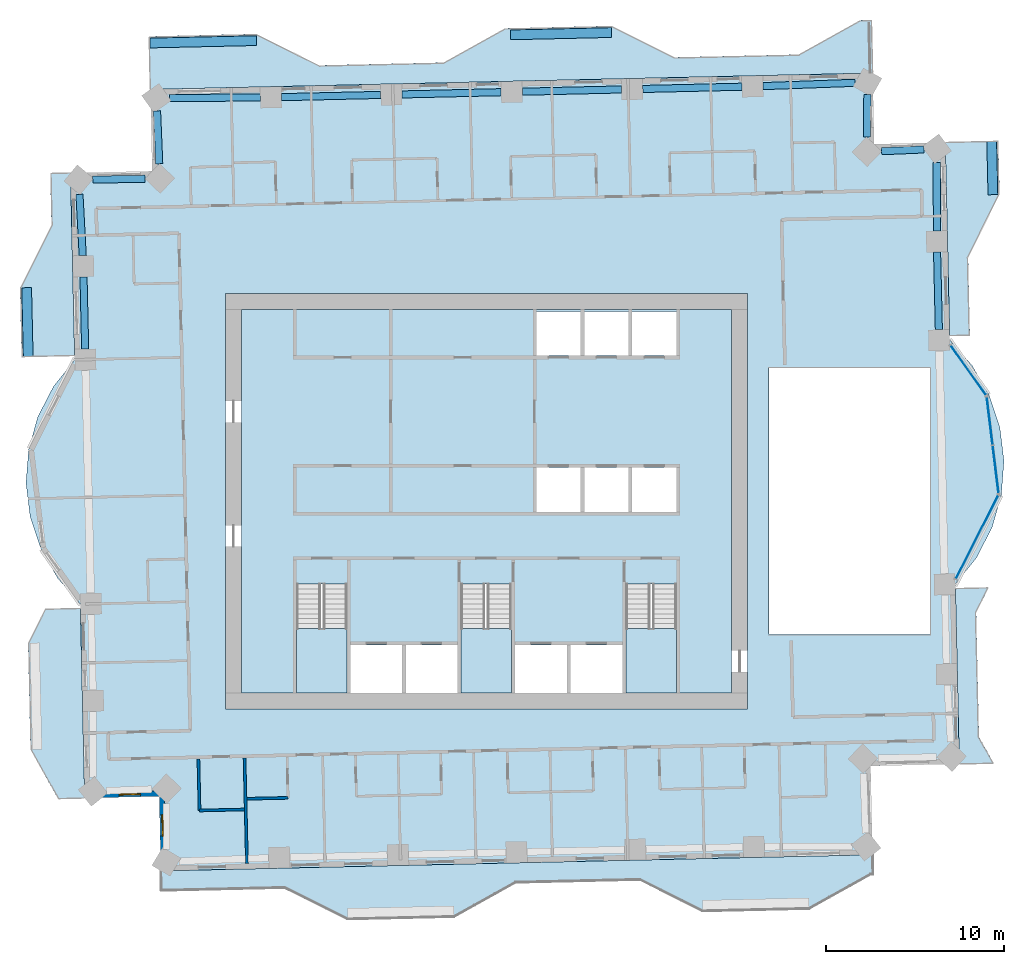
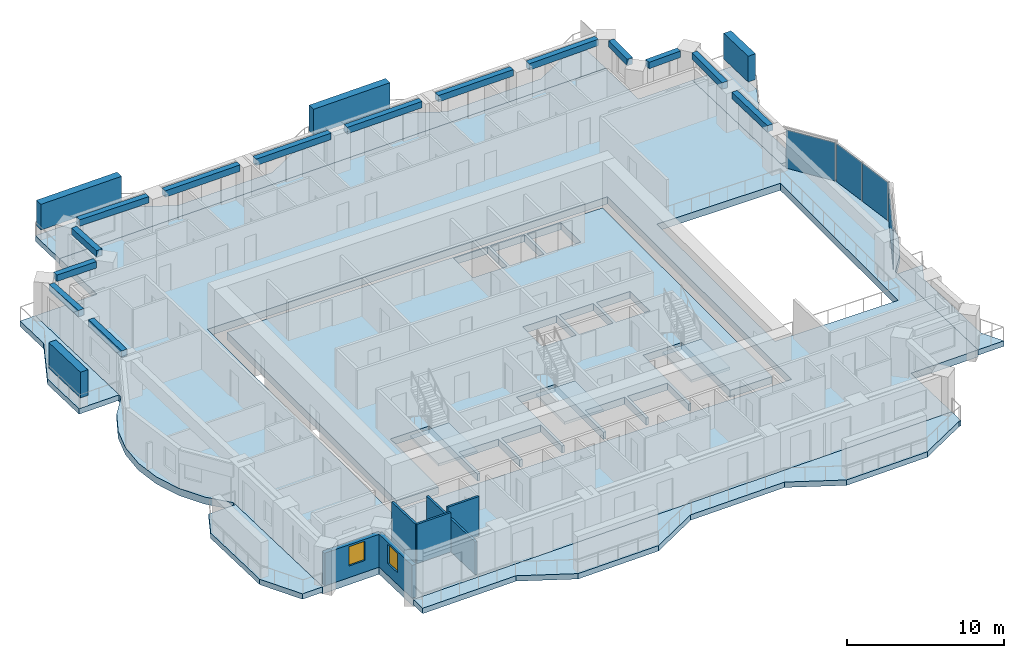
# One storey, part 3 of 14: 14 beams, 11 slabs, 6 walls, 4 members, 4 plates, 2 windows, 2 openings, 6 elements without a shape of their own.
"""IFC4 building model written with IfcOpenShell, lengths in metres."""

from ifc_helpers import new_model, si_unit, direction, frame, frame_2d, origin, origin_2d, place, context, subcontext, project, spatial, polyline, rectangle, outline, extrude, material, layer, layer_set, material_profile, profile_set, type_object, element, fill, aggregate, save


model = new_model("IFC4")

# Units and contexts
model_context = context("Model", 3, precision=1e-05, world=origin(), true_north=direction((0.0, 1.0)))
body_context = subcontext(model_context, "Body", "Model", "MODEL_VIEW")
ifc_project = project(units=[si_unit("LENGTHUNIT", "METRE"), si_unit("AREAUNIT", "SQUARE_METRE"), si_unit("VOLUMEUNIT", "CUBIC_METRE"), si_unit("PLANEANGLEUNIT", "RADIAN"), si_unit("MASSUNIT", "GRAM", prefix="KILO")], contexts=[model_context])

# Site, building, storey
site_placement = place(None, origin())
site = spatial("IfcSite", under=ifc_project, at=site_placement, CompositionType="ELEMENT")
building_placement = place(site_placement, origin())
building = spatial("IfcBuilding", under=site, at=building_placement, Name="Mangrove Gate Tower", CompositionType="ELEMENT")
storey_placement = place(building_placement, frame((0.0, 0.0, 182.5)))
storey = spatial("IfcBuildingStorey", under=building, at=storey_placement, Name="L46", CompositionType="ELEMENT", Elevation=182.5)

# Members
ifc_material_1 = material(Name="Planting on aluminium trellis", Category="aluminium")
ifc_material_profile_1 = material_profile(ifc_material_1, rectangle(XDim=0.550048828125, YDim=2.0, at=origin_2d()))
ifc_profile_set_1 = profile_set([ifc_material_profile_1], Name="Planting on aluminium trellis")
member_type = type_object("IfcMemberType", Name="Balcony greenery screen 550x2000", PredefinedType="USERDEFINED", material=ifc_profile_set_1)
member_1_placement = place(storey_placement, frame((28.508056640625, 17.264892578125, 1.800048828125), z_axis=(-0.022706615587, 0.999742171567, 0.0), x_axis=(-0.999742171567, -0.022706615587, 0.0)))
element("IfcMember", 1, at=member_1_placement, inside=storey, type_object=member_type, Name="GREEN SCREEN L46 E1.1", ObjectType="PLANTING", PredefinedType="USERDEFINED", context=body_context, shape_type="SweptSolid", body=[
    extrude(rectangle(XDim=0.550048828125, YDim=2.0, at=origin_2d()), origin(), (0.0, 0.0, 1.0), 2.999755859375),
])
member_2_placement = place(storey_placement, frame((1.341064453125, 26.264892578125, 1.800048828125), z_axis=(0.999739419866, 0.022827447663, 0.0), x_axis=(-0.022827447663, 0.999739419866, 0.0)))
element("IfcMember", 2, at=member_2_placement, inside=storey, type_object=member_type, Name="GREEN SCREEN L46 N0.1", ObjectType="PLANTING", PredefinedType="USERDEFINED", context=body_context, shape_type="SweptSolid", body=[
    extrude(rectangle(XDim=0.550048828125, YDim=2.0, at=origin_2d()), origin(), (0.0, 0.0, 1.0), 5.700439453125),
])
member_3_placement = place(storey_placement, frame((-18.9541015625, 25.804931640625, 1.800048828125), z_axis=(0.999743178102, 0.022662255828, 0.0), x_axis=(-0.022662255828, 0.999743178102, 0.0)))
element("IfcMember", 3, at=member_3_placement, inside=storey, type_object=member_type, Name="GREEN SCREEN L46 N1.1", ObjectType="PLANTING", PredefinedType="USERDEFINED", context=body_context, shape_type="SweptSolid", body=[
    extrude(rectangle(XDim=0.550048828125, YDim=2.0, at=origin_2d()), origin(), (0.0, 0.0, 1.0), 6.00048828125),
])
member_4_placement = place(storey_placement, frame((-25.81005859375, 8.155029296875, 1.800048828125), z_axis=(-0.022681332769, 0.999742745482, 0.0), x_axis=(-0.999742745482, -0.022681332769, 0.0)))
element("IfcMember", 4, at=member_4_placement, inside=storey, type_object=member_type, Name="GREEN SCREEN L46 W0.1", ObjectType="PLANTING", PredefinedType="USERDEFINED", context=body_context, shape_type="SweptSolid", body=[
    extrude(rectangle(XDim=0.550048828125, YDim=2.0, at=origin_2d()), origin(), (0.0, 0.0, 1.0), 3.875),
])

# Beams
ifc_material_2 = material(Name="Concrete C50/60", Category="concrete")
ifc_material_profile_2 = material_profile(ifc_material_2, rectangle(XDim=0.39990234375, YDim=0.5, at=origin_2d()))
ifc_profile_set_2 = profile_set([ifc_material_profile_2], Name="Concrete C50/60")
beam_type = type_object("IfcBeamType", Name="Edge beam RC 400x500 C50/60", PredefinedType="BEAM", material=ifc_profile_set_2)
beam_1_placement = place(storey_placement, frame((25.46435546875, 9.669189453125, 2.800048828125), z_axis=(-0.022838386415, 0.999739170037, 0.0), x_axis=(-0.999739170037, -0.022838386415, 0.0)))
element("IfcBeam", 5, at=beam_1_placement, inside=storey, type_object=beam_type, Name="Edge beam L46 15", PredefinedType="BEAM", context=body_context, shape_type="SweptSolid", body=[
    extrude(rectangle(XDim=0.39990234375, YDim=0.5, at=origin_2d()), origin(), (0.0, 0.0, 1.0), 4.361572265625),
])
beam_2_placement = place(storey_placement, frame((25.3505859375, 15.2294921875, 2.800048828125), z_axis=(-0.001011377485, 0.999999488558, 0.0), x_axis=(-0.999999488558, -0.001011377485, 0.0)))
element("IfcBeam", 6, at=beam_2_placement, inside=storey, type_object=beam_type, Name="Edge beam L46 16", PredefinedType="BEAM", context=body_context, shape_type="SweptSolid", body=[
    extrude(rectangle(XDim=0.39990234375, YDim=0.5, at=origin_2d()), origin(), (0.0, 0.0, 1.0), 3.8623046875),
])
beam_3_placement = place(storey_placement, frame((24.6171875, 19.812744140625, 2.800048828125), z_axis=(-0.999146203439, -0.041314212485, 0.0), x_axis=(0.041314212485, -0.999146203439, 0.0)))
element("IfcBeam", 7, at=beam_3_placement, inside=storey, type_object=beam_type, Name="Edge beam L46 17", PredefinedType="BEAM", context=body_context, shape_type="SweptSolid", body=[
    extrude(rectangle(XDim=0.39990234375, YDim=0.5, at=origin_2d()), origin(), (0.0, 0.0, 1.0), 2.37548828125),
])
beam_4_placement = place(storey_placement, frame((21.41796875, 20.50390625, 2.800048828125), z_axis=(0.008133945451, 0.999966918919, 0.0), x_axis=(-0.999966918919, 0.008133945451, 0.0)))
element("IfcBeam", 8, at=beam_4_placement, inside=storey, type_object=beam_type, Name="Edge beam L46 18", PredefinedType="BEAM", context=body_context, shape_type="SweptSolid", body=[
    extrude(rectangle(XDim=0.39990234375, YDim=0.5, at=origin_2d()), origin(), (0.0, 0.0, 1.0), 2.401123046875),
])
beam_5_placement = place(storey_placement, frame((20.741455078125, 23.564453125, 2.800048828125), z_axis=(-0.99936699483, -0.03557540787, 0.0), x_axis=(0.03557540787, -0.99936699483, 0.0)))
element("IfcBeam", 9, at=beam_5_placement, inside=storey, type_object=beam_type, Name="Edge beam L46 19", PredefinedType="BEAM", context=body_context, shape_type="SweptSolid", body=[
    extrude(rectangle(XDim=0.39990234375, YDim=0.5, at=origin_2d()), origin(), (0.0, 0.0, 1.0), 5.17431640625),
])
for number, where, z_axis, x_axis, name in (
    (10, (14.370849609375, 23.345458984375, 2.800048828125), (-0.999742129115, -0.022708484617, 0.0), (0.022708484617, -0.999742129115, 0.0), "Edge beam L46 20"),
    (11, (7.5927734375, 23.19140625, 2.800048828125), (-0.999742129115, -0.022708484617, 0.0), (0.022708484617, -0.999742129115, 0.0), "Edge beam L46 21"),
    (12, (0.814697265625, 23.03759765625, 2.800048828125), (-0.999742129115, -0.022708484617, 0.0), (0.022708484617, -0.999742129115, 0.0), "Edge beam L46 22"),
):
    element("IfcBeam", number, at=place(storey_placement, frame(where, z_axis=z_axis, x_axis=x_axis)), inside=storey, type_object=beam_type, Name=name, PredefinedType="BEAM", context=body_context, shape_type="SweptSolid", body=[
        extrude(rectangle(XDim=0.39990234375, YDim=0.5, at=origin_2d()), origin(), (0.0, 0.0, 1.0), 5.579833984375),
    ])
beam_6_placement = place(storey_placement, frame((-5.96337890625, 22.883544921875, 2.800048828125), z_axis=(-0.999746153815, -0.022530599913, 0.0), x_axis=(0.022530599913, -0.999746153815, 0.0)))
element("IfcBeam", 13, at=beam_6_placement, inside=storey, type_object=beam_type, Name="Edge beam L46 23", PredefinedType="BEAM", context=body_context, shape_type="SweptSolid", body=[
    extrude(rectangle(XDim=0.39990234375, YDim=0.5, at=origin_2d()), origin(), (0.0, 0.0, 1.0), 5.58056640625),
])
beam_7_placement = place(storey_placement, frame((-12.742431640625, 22.740234375, 2.800048828125), z_axis=(-0.999977633911, -0.006688174505, 0.0), x_axis=(0.006688174505, -0.999977633911, 0.0)))
element("IfcBeam", 14, at=beam_7_placement, inside=storey, type_object=beam_type, Name="Edge beam L46 24", PredefinedType="BEAM", context=body_context, shape_type="SweptSolid", body=[
    extrude(rectangle(XDim=0.39990234375, YDim=0.5, at=origin_2d()), origin(), (0.0, 0.0, 1.0), 5.1103515625),
])
beam_8_placement = place(storey_placement, frame((-18.555908203125, 21.986083984375, 2.800048828125), z_axis=(0.041862254273, -0.999123391612, 0.0), x_axis=(0.999123391612, 0.041862254273, 0.0)))
element("IfcBeam", 15, at=beam_8_placement, inside=storey, type_object=beam_type, Name="Edge beam L46 25", PredefinedType="BEAM", context=body_context, shape_type="SweptSolid", body=[
    extrude(rectangle(XDim=0.39990234375, YDim=0.5, at=origin_2d()), origin(), (0.0, 0.0, 1.0), 2.980224609375),
])
beam_9_placement = place(storey_placement, frame((-19.2392578125, 18.162841796875, 2.800048828125), z_axis=(-0.999868543092, -0.016214084483, 0.0), x_axis=(0.016214084483, -0.999868543092, 0.0)))
element("IfcBeam", 16, at=beam_9_placement, inside=storey, type_object=beam_type, Name="Edge beam L46 26", PredefinedType="BEAM", context=body_context, shape_type="SweptSolid", body=[
    extrude(rectangle(XDim=0.39990234375, YDim=0.5, at=origin_2d()), origin(), (0.0, 0.0, 1.0), 2.936279296875),
])
beam_10_placement = place(storey_placement, frame((-22.924072265625, 17.28466796875, 2.800048828125), z_axis=(0.053067610798, -0.998590921591, 0.0), x_axis=(0.998590921591, 0.053067610798, 0.0)))
element("IfcBeam", 17, at=beam_10_placement, inside=storey, type_object=beam_type, Name="Edge beam L46 27", PredefinedType="BEAM", context=body_context, shape_type="SweptSolid", body=[
    extrude(rectangle(XDim=0.39990234375, YDim=0.5, at=origin_2d()), origin(), (0.0, 0.0, 1.0), 3.450439453125),
])
beam_11_placement = place(storey_placement, frame((-22.695556640625, 12.6396484375, 2.800048828125), z_axis=(0.022597173963, -0.999744651263, 0.0), x_axis=(0.999744651263, 0.022597173963, 0.0)))
element("IfcBeam", 18, at=beam_11_placement, inside=storey, type_object=beam_type, Name="Edge beam L46 28", PredefinedType="BEAM", context=body_context, shape_type="SweptSolid", body=[
    extrude(rectangle(XDim=0.39990234375, YDim=0.5, at=origin_2d()), origin(), (0.0, 0.0, 1.0), 4.062255859375),
])

# Curtain wall, plate
ifc_material_3 = material(Name="Aluminium and glass curtain wall", Category="aluminium")
curtain_wall_type = type_object("IfcCurtainWallType", Name="Atrium garden-court glazing wall", PredefinedType="NOTDEFINED", material=ifc_material_3)
curtain_wall_1_placement = place(storey_placement, origin())
curtain_wall_1 = element("IfcCurtainWall", 19, at=curtain_wall_1_placement, inside=storey, type_object=curtain_wall_type, Name="Atrium garden-court glazing E1f1", PredefinedType="NOTDEFINED")
ifc_material_4 = material(Name="Laminated low-e glass", Category="glass")
ifc_layer_1 = layer(ifc_material_4, 0.031982421875)
ifc_layer_set_1 = layer_set([ifc_layer_1], Name="Atrium garden-court glazing panel 32")
plate_type = type_object("IfcPlateType", Name="Atrium garden-court glazing panel 32", PredefinedType="CURTAIN_PANEL", material=ifc_layer_set_1)
plate_1_placement = place(storey_placement, frame((27.61572265625, -2.01220703125, 0.0), z_axis=(0.0, 0.0, 1.0), x_axis=(0.452578247326, 0.891724694089, 0.0)))
plate_1 = element("IfcPlate", 20, at=plate_1_placement, type_object=plate_type, Name="CWA panel 1.1", PredefinedType="CURTAIN_PANEL", context=body_context, shape_type="SweptSolid", body=[
    extrude(rectangle(XDim=5.25732421875, YDim=0.031982421875, at=origin_2d()), origin(), (0.0, 0.0, 1.0), 2.97998046875),
])
aggregate(curtain_wall_1, [plate_1])

# Curtain wall, plates
curtain_wall_2_placement = place(storey_placement, origin())
curtain_wall_2 = element("IfcCurtainWall", 21, at=curtain_wall_2_placement, inside=storey, type_object=curtain_wall_type, Name="Atrium garden-court glazing E1f2", PredefinedType="NOTDEFINED")
plate_2_placement = place(storey_placement, frame((28.664794921875, 1.79443359375, 0.0), z_axis=(0.0, 0.0, 1.0), x_axis=(-0.122172286076, 0.992508908028, 0.0)))
plate_2 = element("IfcPlate", 22, at=plate_2_placement, type_object=plate_type, Name="CWA panel 1.1", PredefinedType="CURTAIN_PANEL", context=body_context, shape_type="SweptSolid", body=[
    extrude(rectangle(XDim=2.681640625, YDim=0.031982421875, at=origin_2d()), origin(), (0.0, 0.0, 1.0), 2.97998046875),
])
plate_3_placement = place(storey_placement, frame((28.32861328125, 4.525634765625, 0.0), z_axis=(0.0, 0.0, 1.0), x_axis=(-0.122172286076, 0.992508908028, 0.0)))
plate_3 = element("IfcPlate", 23, at=plate_3_placement, type_object=plate_type, Name="CWA panel 2.1", PredefinedType="CURTAIN_PANEL", context=body_context, shape_type="SweptSolid", body=[
    extrude(rectangle(XDim=2.681640625, YDim=0.031982421875, at=origin_2d()), origin(), (0.0, 0.0, 1.0), 2.97998046875),
])
aggregate(curtain_wall_2, [plate_2, plate_3])

# Curtain wall, plate
curtain_wall_3_placement = place(storey_placement, origin())
curtain_wall_3 = element("IfcCurtainWall", 24, at=curtain_wall_3_placement, inside=storey, type_object=curtain_wall_type, Name="Atrium garden-court glazing E1f3", PredefinedType="NOTDEFINED")
plate_4_placement = place(storey_placement, frame((27.125, 7.381591796875, 0.0), z_axis=(0.0, 0.0, 1.0), x_axis=(-0.578106334278, 0.815961436753, 0.0)))
plate_4 = element("IfcPlate", 25, at=plate_4_placement, type_object=plate_type, Name="CWA panel 1.1", PredefinedType="CURTAIN_PANEL", context=body_context, shape_type="SweptSolid", body=[
    extrude(rectangle(XDim=3.427978515625, YDim=0.031982421875, at=origin_2d()), origin(), (0.0, 0.0, 1.0), 2.97998046875),
])
aggregate(curtain_wall_3, [plate_4])

# Slabs
ifc_material_5 = material(Name="Porcelain tile")
ifc_layer_2 = layer(ifc_material_5, 0.02001953125, Name="Tile finish")
ifc_material_6 = material(Name="Cement sand screed")
ifc_layer_3 = layer(ifc_material_6, 0.0400390625, Name="Screed laid to falls")
ifc_material_7 = material(Name="Bituminous waterproofing membrane")
ifc_layer_4 = layer(ifc_material_7, 0.00390625, Name="Waterproofing")
ifc_material_8 = material(Name="Concrete C40/50", Category="concrete")
ifc_layer_5 = layer(ifc_material_8, 0.340087890625, Name="Balcony structural slab")
ifc_material_9 = material(Name="Limestone", Category="masonry")
ifc_layer_6 = layer(ifc_material_9, 0.01611328125, Name="Soffit lining")
ifc_layer_set_2 = layer_set([ifc_layer_2, ifc_layer_3, ifc_layer_4, ifc_layer_5, ifc_layer_6], Name="Balcony slab 420 C40/50")
slab_type_1 = type_object("IfcSlabType", Name="Balcony slab 420 C40/50", PredefinedType="FLOOR", material=ifc_layer_set_2)
slab_1_placement = place(storey_placement, frame((0.0, 0.0, -0.419921875)))
element("IfcSlab", 26, at=slab_1_placement, inside=storey, type_object=slab_type_1, Name="BALCONY L46 E0", PredefinedType="FLOOR", context=body_context, shape_type="SweptSolid", body=[
    extrude(outline(polyline([(28.552001953125, -14.742919921875), (27.72509765625, -13.260986328125), (27.56591796875, -6.262939453125), (28.260986328125, -4.8720703125), (26.39501953125, -4.9140625), (26.427001953125, -6.2890625), (26.5849609375, -13.287109375), (26.618896484375, -14.787109375), (28.552001953125, -14.742919921875)])), origin(), (0.0, 0.0, 1.0), 0.419921875),
])
slab_2_placement = place(storey_placement, frame((0.0, 0.0, -0.419921875)))
element("IfcSlab", 27, at=slab_2_placement, inside=storey, type_object=slab_type_1, Name="BALCONY L46 E1", PredefinedType="FLOOR", context=body_context, shape_type="SweptSolid", body=[
    extrude(outline(polyline([(27.2119140625, 9.35791015625), (27.112060546875, 13.73193359375), (28.883056640625, 17.27294921875), (28.81494140625, 20.27197265625), (25.824951171875, 20.2041015625), (25.89306640625, 17.205078125), (25.972900390625, 13.7060546875), (26.072021484375, 9.3330078125), (27.2119140625, 9.35791015625)])), origin(), (0.0, 0.0, 1.0), 0.419921875),
])
slab_3_placement = place(storey_placement, frame((0.0, 0.0, -0.419921875)))
element("IfcSlab", 28, at=slab_3_placement, inside=storey, type_object=slab_type_1, Name="BALCONY L46 N0", PredefinedType="FLOOR", context=body_context, shape_type="SweptSolid", body=[
    extrude(outline(polyline([(21.66796875, 27.10205078125), (21.028076171875, 27.0869140625), (17.571044921875, 25.157958984375), (10.572998046875, 25.0), (7.031005859375, 26.77001953125), (1.3330078125, 26.639892578125), (1.032958984375, 26.634033203125), (-2.424072265625, 24.705078125), (-9.422119140625, 24.547119140625), (-12.962890625, 26.31591796875), (-18.9619140625, 26.179931640625), (-19.0009765625, 26.157958984375), (-18.93408203125, 23.18994140625), (21.736083984375, 24.113037109375), (21.66796875, 27.10205078125)])), origin(), (0.0, 0.0, 1.0), 0.419921875),
])
slab_4_placement = place(storey_placement, frame((0.0, 0.0, -0.419921875)))
element("IfcSlab", 29, at=slab_4_placement, inside=storey, type_object=slab_type_1, Name="BALCONY L46 W0", PredefinedType="FLOOR", context=body_context, shape_type="SweptSolid", body=[
    extrude(outline(polyline([(-24.568115234375, 18.4609375), (-24.501953125, 15.56103515625), (-26.27197265625, 12.02001953125), (-26.18505859375, 8.14697265625), (-23.195068359375, 8.214111328125), (-23.282958984375, 12.087890625), (-23.363037109375, 15.5869140625), (-23.427978515625, 18.487060546875), (-24.568115234375, 18.4609375)])), origin(), (0.0, 0.0, 1.0), 0.419921875),
])
slab_5_placement = place(storey_placement, frame((0.0, 0.0, -0.419921875)))
element("IfcSlab", 30, at=slab_5_placement, inside=storey, type_object=slab_type_1, Name="BALCONY L46 W1", PredefinedType="FLOOR", context=body_context, shape_type="SweptSolid", body=[
    extrude(outline(polyline([(-24.87109375, -6.077880859375), (-25.819091796875, -7.97509765625), (-25.68310546875, -13.972900390625), (-24.138916015625, -16.739013671875), (-22.6298828125, -16.7041015625), (-22.693115234375, -13.905029296875), (-22.8291015625, -7.906982421875), (-22.8720703125, -6.032958984375), (-24.87109375, -6.077880859375)])), origin(), (0.0, 0.0, 1.0), 0.419921875),
])
slab_6_placement = place(storey_placement, frame((0.0, 0.0, -0.419921875)))
element("IfcSlab", 31, at=slab_6_placement, inside=storey, type_object=slab_type_1, Name="BALCONY L46 S0", PredefinedType="FLOOR", context=body_context, shape_type="SweptSolid", body=[
    extrude(outline(polyline([(-18.31005859375, -21.947998046875), (-11.3720703125, -21.7900390625), (-7.830078125, -23.56005859375), (-1.83203125, -23.424072265625), (1.625, -21.4951171875), (8.623046875, -21.337890625), (12.1640625, -23.10693359375), (18.1630859375, -22.970947265625), (21.6201171875, -21.0419921875), (21.760009765625, -21.0380859375), (21.73388671875, -19.89892578125), (1.698974609375, -20.35302734375), (1.59912109375, -20.35595703125), (-18.3359375, -20.80810546875), (-18.31005859375, -21.947998046875)])), origin(), (0.0, 0.0, 1.0), 0.419921875),
])
ifc_material_10 = material(Name="Concrete C40/50", Category="concrete")
ifc_layer_7 = layer(ifc_material_10, 0.550048828125)
ifc_layer_set_3 = layer_set([ifc_layer_7], Name="Core floor slab 550 C40/50")
slab_type_2 = type_object("IfcSlabType", Name="Core floor slab 550 C40/50", PredefinedType="FLOOR", material=ifc_layer_set_3)
slab_7_placement = place(storey_placement, frame((0.0, 0.0, -0.550048828125)))
element("IfcSlab", 32, at=slab_7_placement, inside=storey, type_object=slab_type_2, Name="SLAB-L46-CORE-1", PredefinedType="FLOOR", context=body_context, shape_type="SweptSolid", body=[
    extrude(outline(polyline([(-13.800048828125, -10.800048828125), (-13.800048828125, 10.800048828125), (13.800048828125, 10.800048828125), (13.800048828125, -10.800048828125), (10.699951171875, -10.800048828125), (10.699951171875, -4.653076171875), (7.85009765625, -4.653076171875), (7.85009765625, -10.800048828125), (7.64990234375, -10.800048828125), (7.64990234375, -8.10009765625), (4.72509765625, -8.10009765625), (4.72509765625, -10.800048828125), (4.52490234375, -10.800048828125), (4.52490234375, -8.10009765625), (1.60009765625, -8.10009765625), (1.60009765625, -10.800048828125), (1.39990234375, -10.800048828125), (1.39990234375, -4.653076171875), (-1.449951171875, -4.653076171875), (-1.449951171875, -10.800048828125), (-1.64990234375, -10.800048828125), (-1.64990234375, -8.10009765625), (-4.550048828125, -8.10009765625), (-4.550048828125, -10.800048828125), (-4.75, -10.800048828125), (-4.75, -8.10009765625), (-7.64990234375, -8.10009765625), (-7.64990234375, -10.800048828125), (-7.85009765625, -10.800048828125), (-7.85009765625, -4.653076171875), (-10.699951171875, -4.653076171875), (-10.699951171875, -10.800048828125), (-13.800048828125, -10.800048828125)]), holes=[polyline([(5.300048828125, -0.60009765625), (5.300048828125, 1.89990234375), (2.800048828125, 1.89990234375), (2.800048828125, -0.60009765625), (5.300048828125, -0.60009765625)]), polyline([(5.300048828125, 10.699951171875), (2.800048828125, 10.699951171875), (2.800048828125, 8.199951171875), (5.300048828125, 8.199951171875), (5.300048828125, 10.699951171875)]), polyline([(8.0, -0.60009765625), (8.0, 1.89990234375), (5.5, 1.89990234375), (5.5, -0.60009765625), (8.0, -0.60009765625)]), polyline([(10.699951171875, -0.60009765625), (10.699951171875, 1.89990234375), (8.199951171875, 1.89990234375), (8.199951171875, -0.60009765625), (10.699951171875, -0.60009765625)]), polyline([(8.0, 8.199951171875), (8.0, 10.699951171875), (5.5, 10.699951171875), (5.5, 8.199951171875), (8.0, 8.199951171875)]), polyline([(10.699951171875, 8.199951171875), (10.699951171875, 10.699951171875), (8.199951171875, 10.699951171875), (8.199951171875, 8.199951171875), (10.699951171875, 8.199951171875)])]), origin(), (0.0, 0.0, 1.0), 0.550048828125),
])

# Stair, slab
ifc_material_11 = material(Name="Concrete C40/50", Category="concrete")
stair_type = type_object("IfcStairType", Name="Core stair 1350", PredefinedType="HALF_TURN_STAIR", material=ifc_material_11)
stair_1_placement = place(storey_placement, origin())
stair_1 = element("IfcStair", 33, at=stair_1_placement, inside=storey, type_object=stair_type, Name="L46 Stair 1", PredefinedType="HALF_TURN_STAIR")
ifc_material_12 = material(Name="Concrete C40/50", Category="concrete")
ifc_layer_8 = layer(ifc_material_12, 0.199951171875)
ifc_layer_set_4 = layer_set([ifc_layer_8], Name="Core stair landing 200")
slab_type_3 = type_object("IfcSlabType", Name="Core stair landing 200", PredefinedType="LANDING", material=ifc_layer_set_4)
slab_8_placement = place(storey_placement, frame((0.0, 0.0, 1.60009765625)))
slab_8 = element("IfcSlab", 34, at=slab_8_placement, type_object=slab_type_3, Name="ST1 landing 1", PredefinedType="LANDING", context=body_context, shape_type="SweptSolid", body=[
    extrude(outline(polyline([(-10.699951171875, -7.169921875), (-10.699951171875, -10.800048828125), (-7.85009765625, -10.800048828125), (-7.85009765625, -7.169921875), (-10.699951171875, -7.169921875)])), origin(), (0.0, 0.0, 1.0), 0.199951171875),
])
aggregate(stair_1, [slab_8])

stair_2_placement = place(storey_placement, origin())
stair_2 = element("IfcStair", 35, at=stair_2_placement, inside=storey, type_object=stair_type, Name="L46 Stair 2", PredefinedType="HALF_TURN_STAIR")
slab_9_placement = place(storey_placement, frame((0.0, 0.0, 1.60009765625)))
slab_9 = element("IfcSlab", 36, at=slab_9_placement, type_object=slab_type_3, Name="ST2 landing 1", PredefinedType="LANDING", context=body_context, shape_type="SweptSolid", body=[
    extrude(outline(polyline([(-1.449951171875, -7.169921875), (-1.449951171875, -10.800048828125), (1.39990234375, -10.800048828125), (1.39990234375, -7.169921875), (-1.449951171875, -7.169921875)])), origin(), (0.0, 0.0, 1.0), 0.199951171875),
])
aggregate(stair_2, [slab_9])

stair_3_placement = place(storey_placement, origin())
stair_3 = element("IfcStair", 37, at=stair_3_placement, inside=storey, type_object=stair_type, Name="L46 Stair 3", PredefinedType="HALF_TURN_STAIR")
slab_10_placement = place(storey_placement, frame((0.0, 0.0, 1.60009765625)))
slab_10 = element("IfcSlab", 38, at=slab_10_placement, type_object=slab_type_3, Name="ST3 landing 1", PredefinedType="LANDING", context=body_context, shape_type="SweptSolid", body=[
    extrude(outline(polyline([(7.85009765625, -7.169921875), (7.85009765625, -10.800048828125), (10.699951171875, -10.800048828125), (10.699951171875, -7.169921875), (7.85009765625, -7.169921875)])), origin(), (0.0, 0.0, 1.0), 0.199951171875),
])
aggregate(stair_3, [slab_10])

# Slab
ifc_material_13 = material(Name="Concrete C40/50", Category="concrete")
ifc_layer_9 = layer(ifc_material_13, 0.550048828125)
ifc_layer_set_5 = layer_set([ifc_layer_9], Name="Floor slab 550 C40/50")
slab_type_4 = type_object("IfcSlabType", Name="Floor slab 550 C40/50", PredefinedType="FLOOR", material=ifc_layer_set_5)
slab_11_placement = place(storey_placement, frame((0.0, 0.0, -0.550048828125)))
element("IfcSlab", 39, at=slab_11_placement, inside=storey, type_object=slab_type_4, Name="Floor slab L46", PredefinedType="FLOOR", context=body_context, shape_type="SweptSolid", body=[
    extrude(outline(polyline([(-18.335693359375, -20.80810546875), (21.734130859375, -19.898681640625), (21.62060546875, -14.900146484375), (26.619384765625, -14.78662109375), (26.3896484375, -4.66455078125), (27.586181640625, -3.172119140625), (28.463134765625, -1.472412109375), (28.985595703125, 0.36767578125), (29.1328125, 2.27490234375), (28.899169921875, 4.17333984375), (28.293701171875, 5.98779296875), (27.340576171875, 7.64599609375), (26.07763671875, 9.08251953125), (25.8251953125, 20.204345703125), (21.826416015625, 20.113525390625), (21.735595703125, 24.112548828125), (-18.93408203125, 23.189697265625), (-18.82958984375, 18.5908203125), (-23.428466796875, 18.486572265625), (-23.189697265625, 7.964599609375), (-24.38623046875, 6.47216796875), (-25.26318359375, 4.772216796875), (-25.78564453125, 2.932373046875), (-25.932861328125, 1.025146484375), (-25.69921875, -0.873291015625), (-25.09375, -2.687744140625), (-24.140625, -4.345947265625), (-22.877685546875, -5.782470703125), (-22.6298828125, -16.704345703125), (-18.430908203125, -16.609130859375), (-18.335693359375, -20.80810546875)]), holes=[polyline([(15.89990234375, 7.5), (24.964111328125, 7.5), (24.964111328125, -7.5), (15.89990234375, -7.5), (15.89990234375, 7.5)]), polyline([(-14.699951171875, -11.699951171875), (-14.699951171875, 11.699951171875), (14.699951171875, 11.699951171875), (14.699951171875, -11.699951171875), (-14.699951171875, -11.699951171875)])]), origin(), (0.0, 0.0, 1.0), 0.550048828125),
])

# Wall, opening, window
ifc_layer_10 = layer(ifc_material_9, 0.0400390625, Name="Limestone cladding")
ifc_material_14 = material(Name="Ventilated air gap")
ifc_layer_11 = layer(ifc_material_14, 0.0400390625, Name="Ventilated cavity")
ifc_material_15 = material(Name="Mineral wool insulation")
ifc_layer_12 = layer(ifc_material_15, 0.06005859375, Name="Insulation")
ifc_material_16 = material(Name="Breather membrane")
ifc_layer_13 = layer(ifc_material_16, 0.001953125, Name="Breather membrane")
ifc_material_17 = material(Name="Concrete C20/25 blockwork", Category="masonry")
ifc_layer_14 = layer(ifc_material_17, 0.14990234375, Name="Blockwork backing wall")
ifc_material_18 = material(Name="Gypsum plaster")
ifc_layer_15 = layer(ifc_material_18, 0.008056640625, Name="Internal plaster")
ifc_layer_set_6 = layer_set([ifc_layer_10, ifc_layer_11, ifc_layer_12, ifc_layer_13, ifc_layer_14, ifc_layer_15], Name="External wall 300 limestone cladding")
wall_type_1 = type_object("IfcWallType", Name="External wall 300 limestone cladding", PredefinedType="SOLIDWALL", material=ifc_layer_set_6)
wall_1_placement = place(storey_placement, frame((-22.48291015625, -16.551025390625, 0.0), z_axis=(0.0, 0.0, 1.0), x_axis=(0.999744320311, 0.022611811187, 0.0)))
wall_1 = element("IfcWall", 40, at=wall_1_placement, inside=storey, type_object=wall_type_1, Name="WALL-L46-S11", PredefinedType="SOLIDWALL", context=body_context, shape_type="SweptSolid", body=[
    extrude(rectangle(XDim=4.199951171875, YDim=0.300048828125, at=frame_2d((2.10009765625, 0.0))), origin(), (0.0, 0.0, 1.0), 2.550048828125),
])
opening_1_placement = place(wall_1_placement, frame((1.7958984375, 0.0, 0.89990234375)))
opening_1 = element("IfcOpeningElement", 41, at=opening_1_placement, cuts=wall_1, Name="Opening W1", PredefinedType="OPENING", context=body_context, shape_type="SweptSolid", body=[
    extrude(rectangle(XDim=1.199951171875, YDim=1.5, at=frame_2d((0.60009765625, 0.75))), frame((0.0, 0.159912109375, 0.0), z_axis=(0.0, -1.0, 0.0), x_axis=(1.0, 0.0, 0.0)), (0.0, 0.0, 1.0), 0.320068359375),
])
ifc_material_19 = material(Name="Aluminium frame with double-glazed low-e glass", Category="aluminium")
window_type = type_object("IfcWindowType", Name="Side lite 1200x1500", PartitioningType="SINGLE_PANEL", PredefinedType="WINDOW", material=ifc_material_19)
window_1_placement = place(opening_1_placement, origin())
window_1 = element("IfcWindow", 42, at=window_1_placement, inside=storey, type_object=window_type, Name="WIN-L46-S11-1", OverallHeight=1.5, OverallWidth=1.199951171875, PartitioningType="SINGLE_PANEL", PredefinedType="WINDOW", context=body_context, shape_type="SweptSolid", body=[
    extrude(rectangle(XDim=1.199951171875, YDim=1.5, at=frame_2d((0.60009765625, 0.75))), frame((0.0, 0.030029296875, 0.0), z_axis=(0.0, -1.0, 0.0), x_axis=(1.0, 0.0, 0.0)), (0.0, 0.0, 1.0), 0.06005859375),
])
fill(opening_1, window_1)

wall_2_placement = place(storey_placement, frame((-18.283935546875, -16.4560546875, 0.0), z_axis=(0.0, 0.0, 1.0), x_axis=(0.022611811187, -0.999744320311, 0.0)))
wall_2 = element("IfcWall", 43, at=wall_2_placement, inside=storey, type_object=wall_type_1, Name="WALL-L46-W12", PredefinedType="SOLIDWALL", context=body_context, shape_type="SweptSolid", body=[
    extrude(rectangle(XDim=4.199951171875, YDim=0.300048828125, at=frame_2d((2.10009765625, 0.0))), origin(), (0.0, 0.0, 1.0), 2.550048828125),
])
opening_2_placement = place(wall_2_placement, frame((1.194091796875, 0.0, 0.89990234375)))
opening_2 = element("IfcOpeningElement", 44, at=opening_2_placement, cuts=wall_2, Name="Opening W1", PredefinedType="OPENING", context=body_context, shape_type="SweptSolid", body=[
    extrude(rectangle(XDim=1.199951171875, YDim=1.5, at=frame_2d((0.60009765625, 0.75))), frame((0.0, 0.159912109375, 0.0), z_axis=(0.0, -1.0, 0.0), x_axis=(1.0, 0.0, 0.0)), (0.0, 0.0, 1.0), 0.320068359375),
])
window_2_placement = place(opening_2_placement, origin())
window_2 = element("IfcWindow", 45, at=window_2_placement, inside=storey, type_object=window_type, Name="WIN-L46-W12-1", OverallHeight=1.5, OverallWidth=1.199951171875, PartitioningType="SINGLE_PANEL", PredefinedType="WINDOW", context=body_context, shape_type="SweptSolid", body=[
    extrude(rectangle(XDim=1.199951171875, YDim=1.5, at=frame_2d((0.60009765625, 0.75))), frame((0.0, 0.030029296875, 0.0), z_axis=(0.0, -1.0, 0.0), x_axis=(1.0, 0.0, 0.0)), (0.0, 0.0, 1.0), 0.06005859375),
])
fill(opening_2, window_2)

# Walls
ifc_material_20 = material(Name="Gypsum board on steel stud, EI 60", Category="steel")
ifc_layer_16 = layer(ifc_material_20, 0.14990234375)
ifc_layer_set_7 = layer_set([ifc_layer_16], Name="Party wall 150 EI 60")
wall_type_2 = type_object("IfcWallType", Name="Party wall 150 EI 60", PredefinedType="PARTITIONING", material=ifc_layer_set_7)
wall_3_placement = place(storey_placement, frame((-13.493896484375, -20.39794921875, 0.0), z_axis=(0.0, 0.0, 1.0), x_axis=(-0.022692509051, 0.999742491861, 0.0)))
element("IfcWall", 46, at=wall_3_placement, inside=storey, type_object=wall_type_2, Name="WALL-L46-001", PredefinedType="PARTITIONING", context=body_context, shape_type="SweptSolid", body=[
    extrude(rectangle(XDim=5.949462890625, YDim=0.14990234375, at=frame_2d((2.974609375, 0.0))), origin(), (0.0, 0.0, 1.0), 2.550048828125),
])
wall_4_placement = place(storey_placement, frame((-16.162109375, -17.407958984375, 0.0), z_axis=(0.0, 0.0, 1.0), x_axis=(0.999746160391, 0.022530308093, 0.0)))
element("IfcWall", 47, at=wall_4_placement, inside=storey, type_object=wall_type_2, Name="WALL-L46-009", PredefinedType="PARTITIONING", context=body_context, shape_type="SweptSolid", body=[
    extrude(rectangle(XDim=2.52490234375, YDim=0.14990234375, at=frame_2d((1.262451171875, 0.0))), origin(), (0.0, 0.0, 1.0), 3.050048828125),
])
wall_5_placement = place(storey_placement, frame((-16.162109375, -17.407958984375, 0.0), z_axis=(0.0, 0.0, 1.0), x_axis=(-0.022732880677, 0.999741574676, 0.0)))
element("IfcWall", 48, at=wall_5_placement, inside=storey, type_object=wall_type_2, Name="WALL-L46-010", PredefinedType="PARTITIONING", context=body_context, shape_type="SweptSolid", body=[
    extrude(rectangle(XDim=2.899658203125, YDim=0.14990234375, at=frame_2d((1.44970703125, 0.0))), origin(), (0.0, 0.0, 1.0), 3.050048828125),
])
wall_6_placement = place(storey_placement, frame((-13.501953125, -16.7470703125, 0.0), z_axis=(0.0, 0.0, 1.0), x_axis=(0.999749954681, 0.022361308448, 0.0)))
element("IfcWall", 49, at=wall_6_placement, inside=storey, type_object=wall_type_2, Name="WALL-L46-013", PredefinedType="PARTITIONING", context=body_context, shape_type="SweptSolid", body=[
    extrude(rectangle(XDim=2.325439453125, YDim=0.14990234375, at=frame_2d((1.16259765625, 0.0))), origin(), (0.0, 0.0, 1.0), 3.050048828125),
])

save(model, "model.ifc")
